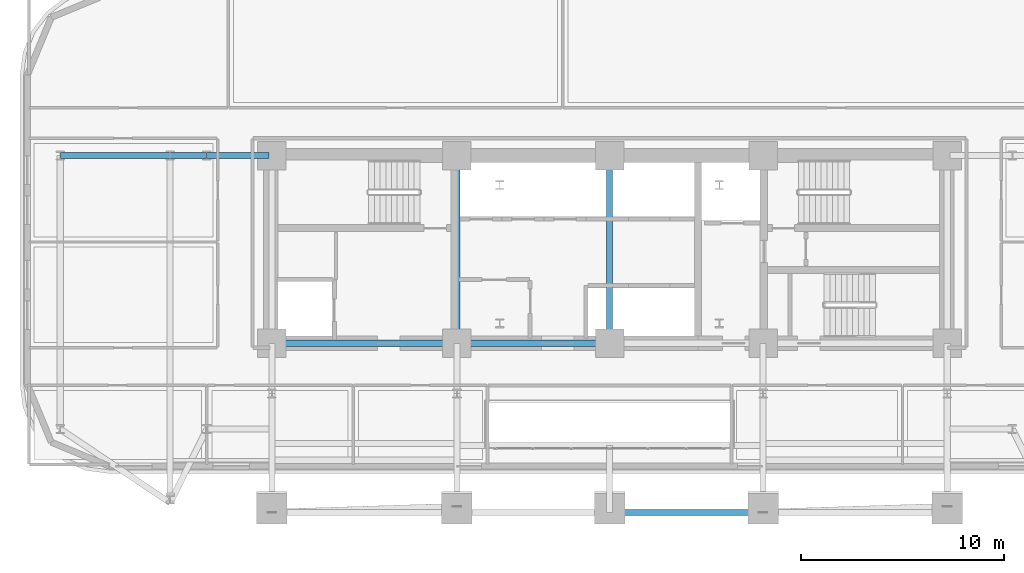
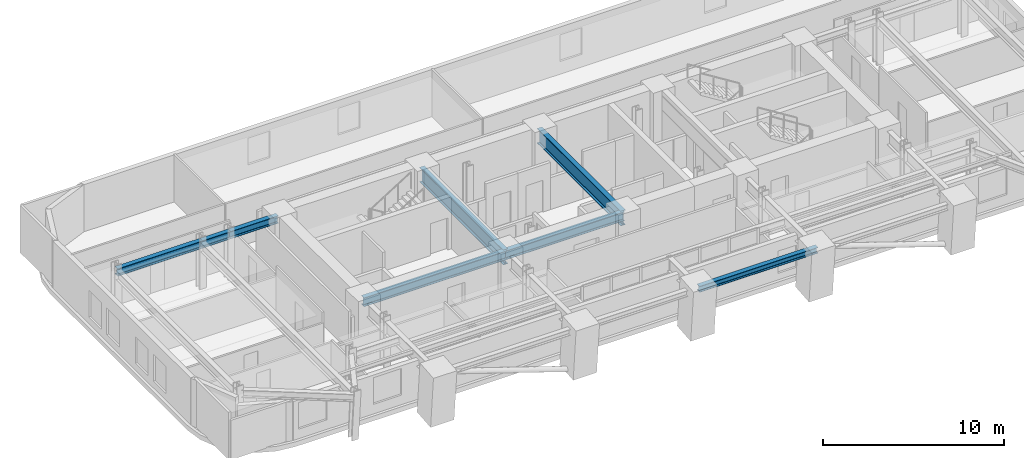
# One storey, part 3 of 15: 8 beams.
"""IFC4 building model written with IfcOpenShell, lengths in metres."""

from ifc_helpers import new_model, si_unit, direction, frame, origin, origin_2d, place, context, subcontext, project, spatial, i_section, extrude, material, material_profile, profile_set, type_object, element, save


model = new_model("IFC4")

# Units and contexts
model_context = context("Model", 3, precision=1e-05, world=origin(), true_north=direction((0.0, 1.0)))
body_context = subcontext(model_context, "Body", "Model", "MODEL_VIEW")
ifc_project = project(units=[si_unit("LENGTHUNIT", "METRE"), si_unit("AREAUNIT", "SQUARE_METRE"), si_unit("VOLUMEUNIT", "CUBIC_METRE"), si_unit("PLANEANGLEUNIT", "RADIAN"), si_unit("MASSUNIT", "GRAM", prefix="KILO")], contexts=[model_context])

# Site, building, storey
site_placement = place(None, origin())
site = spatial("IfcSite", under=ifc_project, at=site_placement, CompositionType="ELEMENT")
building_placement = place(site_placement, origin())
building = spatial("IfcBuilding", under=site, at=building_placement, Name="Zarnavel Station Tower", CompositionType="ELEMENT")
storey_placement = place(building_placement, frame((0.0, 0.0, 71.0)))
storey = spatial("IfcBuildingStorey", under=building, at=storey_placement, Name="L19", CompositionType="ELEMENT", Elevation=71.0)

# Beams
ifc_material_1 = material(Name="Steel S355J2", Category="steel")
ifc_material_profile_1 = material_profile(ifc_material_1, i_section(OverallWidth=0.300048828125, OverallDepth=0.39990234375, WebThickness=0.013427734375, FlangeThickness=0.02392578125, FilletRadius=0.027099609375, at=origin_2d()), Name="HEB400")
ifc_profile_set_1 = profile_set([ifc_material_profile_1], Name="Steel S355J2")
beam_type_1 = type_object("IfcBeamType", Name="EB_HEB400", PredefinedType="SPANDREL", material=ifc_profile_set_1)
beam_1_placement = place(storey_placement, frame((28.800048828125, 19.505859375, 2.97998046875), z_axis=(1.0, 0.0, 0.0), x_axis=(0.0, 1.0, 0.0)))
element("IfcBeam", 1, at=beam_1_placement, inside=storey, type_object=beam_type_1, Name="L19 South Raked Spandrel 3", PredefinedType="SPANDREL", context=body_context, shape_type="SweptSolid", body=[
    extrude(i_section(OverallWidth=0.300048828125, OverallDepth=0.39990234375, WebThickness=0.013427734375, FlangeThickness=0.02392578125, FilletRadius=0.027099609375, at=origin_2d()), origin(), (0.0, 0.0, 1.0), 7.550048828125),
])
ifc_material_2 = material(Name="Steel S355J2", Category="steel")
ifc_material_profile_2 = material_profile(ifc_material_2, i_section(OverallWidth=0.300048828125, OverallDepth=0.5, WebThickness=0.014404296875, FlangeThickness=0.028076171875, FilletRadius=0.027099609375, at=origin_2d()), Name="HEB500")
ifc_profile_set_2 = profile_set([ifc_material_profile_2], Name="Steel S355J2")
beam_type_2 = type_object("IfcBeamType", Name="FG_HEB500", PredefinedType="USERDEFINED", material=ifc_profile_set_2)
beam_2_placement = place(storey_placement, frame((1.800048828125, 37.050048828125, 2.929931640625), z_axis=(1.0, 0.0, 0.0), x_axis=(0.0, 1.0, 0.0)))
element("IfcBeam", 2, at=beam_2_placement, inside=storey, type_object=beam_type_2, Name="L19 West Wing North Tie 1", ObjectType="GIRDER", PredefinedType="USERDEFINED", context=body_context, shape_type="SweptSolid", body=[
    extrude(i_section(OverallWidth=0.300048828125, OverallDepth=0.5, WebThickness=0.014404296875, FlangeThickness=0.028076171875, FilletRadius=0.027099609375, at=origin_2d()), origin(), (0.0, 0.0, 1.0), 5.39990234375),
])
beam_3_placement = place(storey_placement, frame((7.199951171875, 37.050048828125, 2.929931640625), z_axis=(1.0, 0.0, 0.0), x_axis=(0.0, 1.0, 0.0)))
element("IfcBeam", 3, at=beam_3_placement, inside=storey, type_object=beam_type_2, Name="L19 West Wing North Tie 2", ObjectType="GIRDER", PredefinedType="USERDEFINED", context=body_context, shape_type="SweptSolid", body=[
    extrude(i_section(OverallWidth=0.300048828125, OverallDepth=0.5, WebThickness=0.014404296875, FlangeThickness=0.028076171875, FilletRadius=0.027099609375, at=origin_2d()), origin(), (0.0, 0.0, 1.0), 1.800048828125),
])
beam_4_placement = place(storey_placement, frame((9.0, 37.050048828125, 2.929931640625), z_axis=(1.0, 0.0, 0.0), x_axis=(0.0, 1.0, 0.0)))
element("IfcBeam", 4, at=beam_4_placement, inside=storey, type_object=beam_type_2, Name="L19 West Wing North Tie 3", ObjectType="GIRDER", PredefinedType="USERDEFINED", context=body_context, shape_type="SweptSolid", body=[
    extrude(i_section(OverallWidth=0.300048828125, OverallDepth=0.5, WebThickness=0.014404296875, FlangeThickness=0.028076171875, FilletRadius=0.027099609375, at=origin_2d()), origin(), (0.0, 0.0, 1.0), 3.054931640625),
])
ifc_material_3 = material(Name="Steel S355J2", Category="steel")
ifc_material_profile_3 = material_profile(ifc_material_3, i_section(OverallWidth=0.300048828125, OverallDepth=0.60009765625, WebThickness=0.015380859375, FlangeThickness=0.030029296875, FilletRadius=0.027099609375, at=origin_2d()), Name="HEB600")
ifc_profile_set_3 = profile_set([ifc_material_profile_3], Name="Steel S355J2")
beam_type_3 = type_object("IfcBeamType", Name="FG_HEB600", PredefinedType="USERDEFINED", material=ifc_profile_set_3)
beam_5_placement = place(storey_placement, frame((12.199951171875, 27.820068359375, 2.8798828125), z_axis=(1.0, 0.0, 0.0), x_axis=(0.0, 1.0, 0.0)))
element("IfcBeam", 5, at=beam_5_placement, inside=storey, type_object=beam_type_3, Name="L19 Core Front Coupling Beam 1", ObjectType="GIRDER", PredefinedType="USERDEFINED", context=body_context, shape_type="SweptSolid", body=[
    extrude(i_section(OverallWidth=0.300048828125, OverallDepth=0.60009765625, WebThickness=0.015380859375, FlangeThickness=0.030029296875, FilletRadius=0.027099609375, at=origin_2d()), origin(), (0.0, 0.0, 1.0), 9.10009765625),
])
beam_6_placement = place(storey_placement, frame((21.300048828125, 27.820068359375, 2.8798828125), z_axis=(1.0, 0.0, 0.0), x_axis=(0.0, 1.0, 0.0)))
element("IfcBeam", 6, at=beam_6_placement, inside=storey, type_object=beam_type_3, Name="L19 Core Front Coupling Beam 2", ObjectType="GIRDER", PredefinedType="USERDEFINED", context=body_context, shape_type="SweptSolid", body=[
    extrude(i_section(OverallWidth=0.300048828125, OverallDepth=0.60009765625, WebThickness=0.015380859375, FlangeThickness=0.030029296875, FilletRadius=0.027099609375, at=origin_2d()), origin(), (0.0, 0.0, 1.0), 7.5),
])
ifc_material_4 = material(Name="Steel S460M", Category="steel")
ifc_material_profile_4 = material_profile(ifc_material_4, i_section(OverallWidth=0.302001953125, OverallDepth=1.008056640625, WebThickness=0.02099609375, FlangeThickness=0.0400390625, FilletRadius=0.030029296875, at=origin_2d()), Name="HEM1000")
ifc_profile_set_4 = profile_set([ifc_material_profile_4], Name="Steel S460M")
beam_type_4 = type_object("IfcBeamType", Name="TG_HEM1000", PredefinedType="USERDEFINED", material=ifc_profile_set_4)
for number, where, z_axis, x_axis, name in (
    (7, (21.300048828125, 27.820068359375, 2.676025390625), (0.0, 1.0, 0.0), (-1.0, 0.0, 0.0), "L19 Core Spine Coupling Girder 2"),
    (8, (28.800048828125, 27.820068359375, 2.676025390625), (0.0, 1.0, 0.0), (-1.0, 0.0, 0.0), "L19 Core Spine Coupling Girder 3"),
):
    element("IfcBeam", number, at=place(storey_placement, frame(where, z_axis=z_axis, x_axis=x_axis)), inside=storey, type_object=beam_type_4, Name=name, ObjectType="GIRDER", PredefinedType="USERDEFINED", context=body_context, shape_type="SweptSolid", body=[
        extrude(i_section(OverallWidth=0.302001953125, OverallDepth=1.008056640625, WebThickness=0.02099609375, FlangeThickness=0.0400390625, FilletRadius=0.030029296875, at=origin_2d()), origin(), (0.0, 0.0, 1.0), 9.22998046875),
    ])

save(model, "model.ifc")
